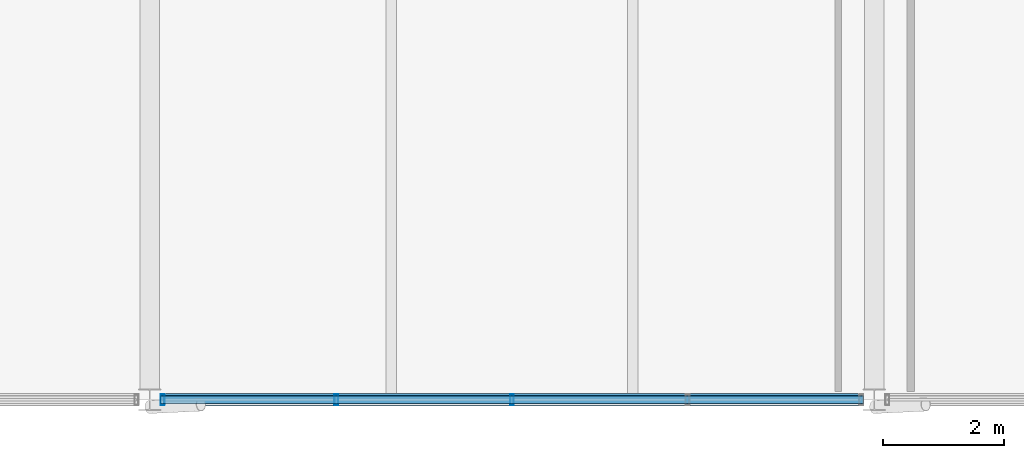
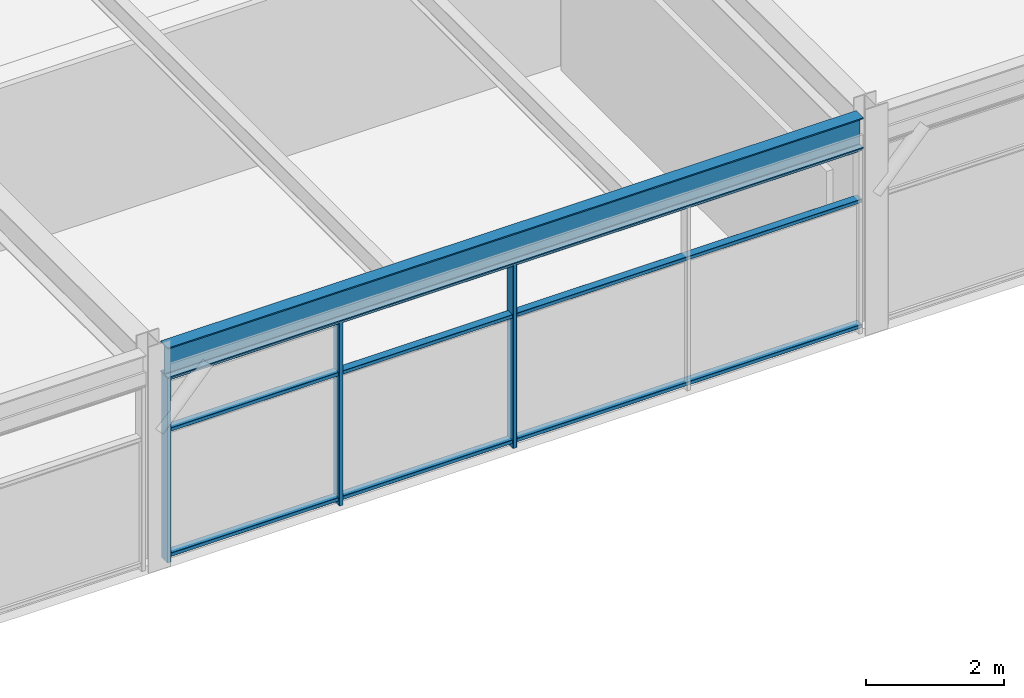
# One storey, part 16 of 40: 6 members, 1 beam, 1 element without a shape of its own.
"""IFC4 building model written with IfcOpenShell, lengths in metres."""

from ifc_helpers import new_model, si_unit, direction, frame, origin, origin_2d, place, context, subcontext, project, spatial, hollow_rectangle, i_section, extrude, material, material_profile, profile_set, type_object, element, aggregate, save


model = new_model("IFC4")

# Units and contexts
model_context = context("Model", 3, precision=1e-05, world=origin(), true_north=direction((0.0, 1.0)))
body_context = subcontext(model_context, "Body", "Model", "MODEL_VIEW")
ifc_project = project(units=[si_unit("LENGTHUNIT", "METRE"), si_unit("AREAUNIT", "SQUARE_METRE"), si_unit("VOLUMEUNIT", "CUBIC_METRE"), si_unit("PLANEANGLEUNIT", "RADIAN"), si_unit("MASSUNIT", "GRAM", prefix="KILO")], contexts=[model_context])

# Site, building, storey
site_placement = place(None, origin())
site = spatial("IfcSite", under=ifc_project, at=site_placement, CompositionType="ELEMENT")
building_placement = place(site_placement, origin())
building = spatial("IfcBuilding", under=site, at=building_placement, Name="Girod Span Mobility Hub", CompositionType="ELEMENT")
storey_placement = place(building_placement, frame((0.0, 0.0, 53.60009765625)))
storey = spatial("IfcBuildingStorey", under=building, at=storey_placement, Name="L13", CompositionType="ELEMENT", Elevation=53.60009765625)

# Beam
ifc_material_1 = material(Name="Steel A992 Grade 50", Category="steel")
ifc_material_profile_1 = material_profile(ifc_material_1, i_section(OverallWidth=0.2119140625, OverallDepth=0.5439453125, WebThickness=0.01318359375, FlangeThickness=0.021240234375, FilletRadius=0.014892578125, at=origin_2d()), Name="W21X83")
ifc_profile_set_1 = profile_set([ifc_material_profile_1], Name="Steel A992 Grade 50")
beam_type = type_object("IfcBeamType", Name="BM-STL-W21X83", PredefinedType="SPANDREL", material=ifc_profile_set_1)
beam_placement = place(storey_placement, frame((84.181396484375, 45.0, 3.54296875), z_axis=(1.0, 0.0, 0.0), x_axis=(0.0, 1.0, 0.0)))
element("IfcBeam", 1, at=beam_placement, inside=storey, type_object=beam_type, Name="Girder 8-9/D L13", PredefinedType="SPANDREL", context=body_context, shape_type="SweptSolid", body=[
    extrude(i_section(OverallWidth=0.2119140625, OverallDepth=0.5439453125, WebThickness=0.01318359375, FlangeThickness=0.021240234375, FilletRadius=0.014892578125, at=origin_2d()), origin(), (0.0, 0.0, 1.0), 11.63720703125),
])

# Curtain wall, members
ifc_material_2 = material(Name="Thermally Broken Anodised Aluminium", Category="aluminium")
curtain_wall_type = type_object("IfcCurtainWallType", Name="CW-1164X327", PredefinedType="USERDEFINED", material=ifc_material_2)
curtain_wall_placement = place(storey_placement, origin())
curtain_wall = element("IfcCurtainWall", 2, at=curtain_wall_placement, inside=storey, type_object=curtain_wall_type, Name="Unitised Curtain Wall CW-L13-S08 L13", ObjectType="UNITISED CURTAIN WALL", PredefinedType="USERDEFINED")
ifc_material_3 = material(Name="Thermally Broken Anodised Aluminium", Category="aluminium")
ifc_material_profile_2 = material_profile(ifc_material_3, hollow_rectangle(XDim=0.179931640625, YDim=0.06494140625, WallThickness=0.00390625, InnerFilletRadius=0.00390625, OuterFilletRadius=0.008056640625, at=origin_2d()), Name="CW-ML-65X180")
ifc_profile_set_2 = profile_set([ifc_material_profile_2], Name="Thermally Broken Anodised Aluminium")
member_type_1 = type_object("IfcMemberType", Name="CWM-ML-2", PredefinedType="MULLION", material=ifc_profile_set_2)
member_1_placement = place(storey_placement, frame((84.214599609375, 45.0, 0.0), z_axis=(0.0, 0.0, 1.0), x_axis=(0.0, 1.0, 0.0)))
member_1 = element("IfcMember", 3, at=member_1_placement, type_object=member_type_1, Name="Curtain Wall Mullion CW-L13-S08-M0", PredefinedType="MULLION", context=body_context, shape_type="SweptSolid", body=[
    extrude(hollow_rectangle(XDim=0.179931640625, YDim=0.06494140625, WallThickness=0.00390625, InnerFilletRadius=0.00390625, OuterFilletRadius=0.008056640625, at=origin_2d()), origin(), (0.0, 0.0, 1.0), 3.27099609375),
])
member_2_placement = place(storey_placement, frame((87.09130859375, 45.0, 0.0), z_axis=(0.0, 0.0, 1.0), x_axis=(0.0, 1.0, 0.0)))
member_2 = element("IfcMember", 4, at=member_2_placement, type_object=member_type_1, Name="Curtain Wall Mullion CW-L13-S08-M1", PredefinedType="MULLION", context=body_context, shape_type="SweptSolid", body=[
    extrude(hollow_rectangle(XDim=0.179931640625, YDim=0.06494140625, WallThickness=0.00390625, InnerFilletRadius=0.00390625, OuterFilletRadius=0.008056640625, at=origin_2d()), origin(), (0.0, 0.0, 1.0), 3.27099609375),
])
member_3_placement = place(storey_placement, frame((90.0, 45.0, 0.0), z_axis=(0.0, 0.0, 1.0), x_axis=(0.0, 1.0, 0.0)))
member_3 = element("IfcMember", 5, at=member_3_placement, type_object=member_type_1, Name="Curtain Wall Mullion CW-L13-S08-M2", PredefinedType="MULLION", context=body_context, shape_type="SweptSolid", body=[
    extrude(hollow_rectangle(XDim=0.179931640625, YDim=0.06494140625, WallThickness=0.00390625, InnerFilletRadius=0.00390625, OuterFilletRadius=0.008056640625, at=origin_2d()), origin(), (0.0, 0.0, 1.0), 3.27099609375),
])
ifc_material_4 = material(Name="Thermally Broken Anodised Aluminium", Category="aluminium")
ifc_material_profile_3 = material_profile(ifc_material_4, hollow_rectangle(XDim=0.135009765625, YDim=0.06494140625, WallThickness=0.00390625, InnerFilletRadius=0.00390625, OuterFilletRadius=0.008056640625, at=origin_2d()), Name="CW-TR-65X135")
ifc_profile_set_3 = profile_set([ifc_material_profile_3], Name="Thermally Broken Anodised Aluminium")
member_type_2 = type_object("IfcMemberType", Name="CWM-TR-2", PredefinedType="USERDEFINED", material=ifc_profile_set_3)
member_4_placement = place(storey_placement, frame((84.1826171875, 45.0, 0.107421875), z_axis=(1.0, 0.0, 0.0), x_axis=(0.0, 1.0, 0.0)))
member_4 = element("IfcMember", 6, at=member_4_placement, type_object=member_type_2, Name="Curtain Wall Transom CW-L13-S08-T1", ObjectType="TRANSOM", PredefinedType="USERDEFINED", context=body_context, shape_type="SweptSolid", body=[
    extrude(hollow_rectangle(XDim=0.135009765625, YDim=0.06494140625, WallThickness=0.00390625, InnerFilletRadius=0.00390625, OuterFilletRadius=0.008056640625, at=origin_2d()), origin(), (0.0, 0.0, 1.0), 11.634765625),
])
member_5_placement = place(storey_placement, frame((84.1826171875, 45.0, 2.322509765625), z_axis=(1.0, 0.0, 0.0), x_axis=(0.0, 1.0, 0.0)))
member_5 = element("IfcMember", 7, at=member_5_placement, type_object=member_type_2, Name="Curtain Wall Transom CW-L13-S08-T2", ObjectType="TRANSOM", PredefinedType="USERDEFINED", context=body_context, shape_type="SweptSolid", body=[
    extrude(hollow_rectangle(XDim=0.135009765625, YDim=0.06494140625, WallThickness=0.00390625, InnerFilletRadius=0.00390625, OuterFilletRadius=0.008056640625, at=origin_2d()), origin(), (0.0, 0.0, 1.0), 11.634765625),
])
member_6_placement = place(storey_placement, frame((84.1826171875, 45.0, 3.23828125), z_axis=(1.0, 0.0, 0.0), x_axis=(0.0, 1.0, 0.0)))
member_6 = element("IfcMember", 8, at=member_6_placement, type_object=member_type_2, Name="Curtain Wall Transom CW-L13-S08-T3", ObjectType="TRANSOM", PredefinedType="USERDEFINED", context=body_context, shape_type="SweptSolid", body=[
    extrude(hollow_rectangle(XDim=0.135009765625, YDim=0.06494140625, WallThickness=0.00390625, InnerFilletRadius=0.00390625, OuterFilletRadius=0.008056640625, at=origin_2d()), origin(), (0.0, 0.0, 1.0), 11.634765625),
])
aggregate(curtain_wall, [member_1, member_2, member_3, member_4, member_5, member_6])

save(model, "model.ifc")
